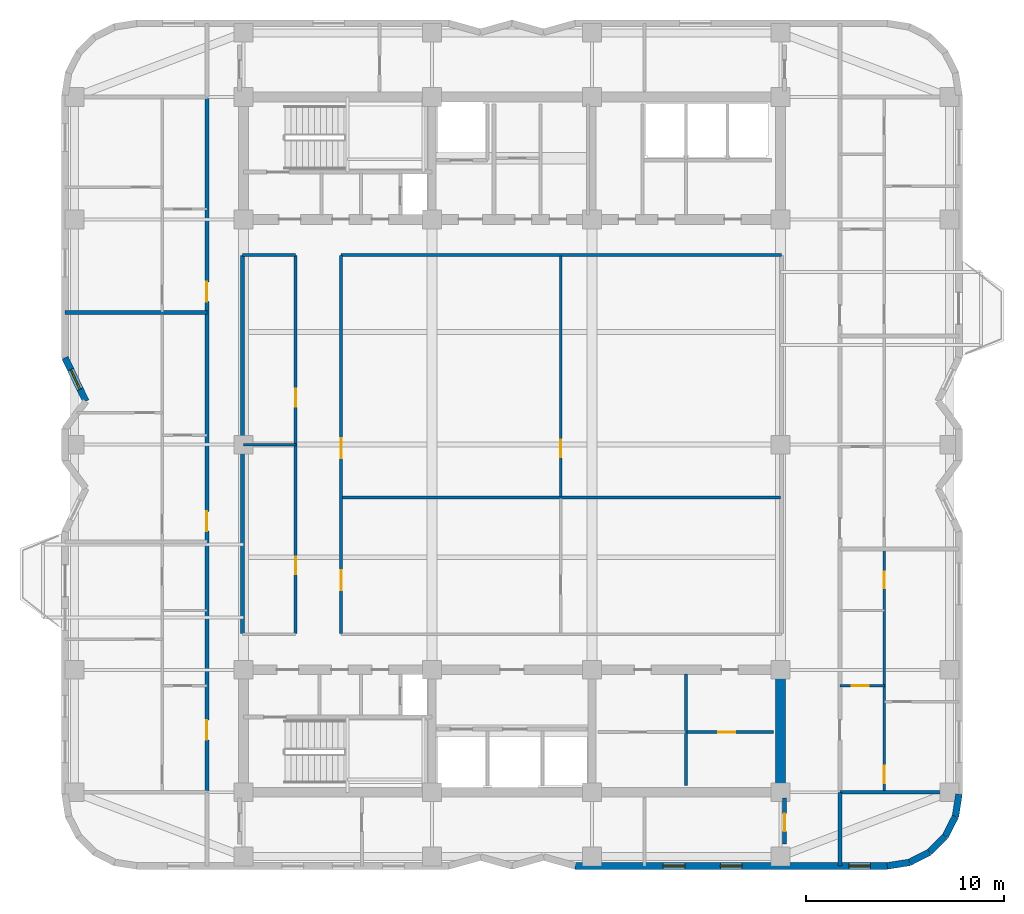
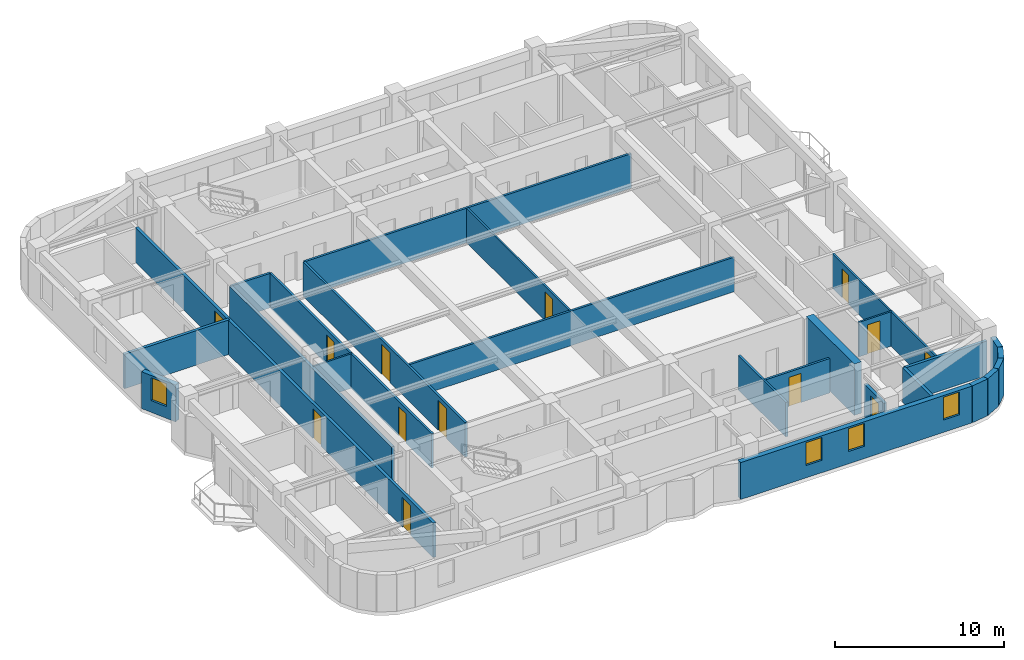
# One storey, part 4 of 9: 25 walls, 13 doors, 4 windows, 17 openings.
"""IFC4 building model written with IfcOpenShell, lengths in metres."""

from ifc_helpers import new_model, si_unit, direction, frame, frame_2d, origin, place, context, subcontext, project, spatial, rectangle, extrude, material, layer, layer_set, type_object, element, fill, save


model = new_model("IFC4")

# Units and contexts
model_context = context("Model", 3, precision=1e-05, world=origin(), true_north=direction((0.0, 1.0)))
body_context = subcontext(model_context, "Body", "Model", "MODEL_VIEW")
ifc_project = project(units=[si_unit("LENGTHUNIT", "METRE"), si_unit("AREAUNIT", "SQUARE_METRE"), si_unit("VOLUMEUNIT", "CUBIC_METRE"), si_unit("PLANEANGLEUNIT", "RADIAN"), si_unit("MASSUNIT", "GRAM", prefix="KILO")], contexts=[model_context])

# Site, building, storey
site_placement = place(None, origin())
site = spatial("IfcSite", under=ifc_project, at=site_placement, CompositionType="ELEMENT")
building_placement = place(site_placement, origin())
building = spatial("IfcBuilding", under=site, at=building_placement, Name="Svetorya Sky Lyceum", CompositionType="ELEMENT")
storey_placement = place(building_placement, frame((0.0, 0.0, 192.199951171875)))
storey = spatial("IfcBuildingStorey", under=building, at=storey_placement, Name="L48", CompositionType="ELEMENT", Elevation=192.199951171875)

# Wall
ifc_material_1 = material(Name="Concrete C50/60", Category="concrete")
ifc_layer_1 = layer(ifc_material_1, 0.5)
ifc_layer_set_1 = layer_set([ifc_layer_1], Name="Concrete C50/60")
wall_type_1 = type_object("IfcWallType", Name="WL-CORE-500", PredefinedType="SHEAR", material=ifc_layer_set_1)
wall_1_placement = place(storey_placement, frame((52.800048828125, 10.85009765625, 0.0), z_axis=(0.0, 0.0, 1.0), x_axis=(0.0, 1.0, 0.0)))
element("IfcWall", 1, at=wall_1_placement, inside=storey, type_object=wall_type_1, Name="L48 SC East Core Shear Wall", PredefinedType="SHEAR", context=body_context, shape_type="SweptSolid", body=[
    extrude(rectangle(XDim=5.699951171875, YDim=0.5, at=frame_2d((2.85009765625, 0.0))), origin(), (0.0, 0.0, 1.0), 3.699951171875),
])

# Wall, openings, windows
ifc_material_2 = material(Name="Putilovo limestone rainscreen on autoclaved cellular masonry", Category="masonry")
ifc_layer_2 = layer(ifc_material_2, 0.340087890625)
ifc_layer_set_2 = layer_set([ifc_layer_2], Name="Putilovo limestone rainscreen on autoclaved cellular masonry")
wall_type_2 = type_object("IfcWallType", Name="WL-EXT-340", PredefinedType="SOLIDWALL", material=ifc_layer_set_2)
wall_2_placement = place(storey_placement, frame((42.39990234375, 6.8701171875, 0.0), z_axis=(0.0, 0.0, 1.0), x_axis=(1.0, 0.0, 0.0)))
wall_2 = element("IfcWall", 2, at=wall_2_placement, inside=storey, type_object=wall_type_2, Name="L48 Limestone Exterior Wall 11M", PredefinedType="SOLIDWALL", context=body_context, shape_type="SweptSolid", body=[
    extrude(rectangle(XDim=15.800048828125, YDim=0.340087890625, at=frame_2d((7.89990234375, 0.0))), origin(), (0.0, 0.0, 1.0), 2.66015625),
])
opening_1_placement = place(wall_2_placement, frame((4.449951171875, 0.0, 0.889892578125)))
opening_1 = element("IfcOpeningElement", 3, at=opening_1_placement, cuts=wall_2, Name="Opening W-R3", PredefinedType="OPENING", context=body_context, shape_type="SweptSolid", body=[
    extrude(rectangle(XDim=1.10009765625, YDim=1.64990234375, at=frame_2d((0.550048828125, 0.824951171875))), frame((0.0, 0.179931640625, 0.0), z_axis=(0.0, -1.0, 0.0), x_axis=(1.0, 0.0, 0.0)), (0.0, 0.0, 1.0), 0.360107421875),
])
opening_2_placement = place(wall_2_placement, frame((7.35009765625, 0.0, 0.889892578125)))
opening_2 = element("IfcOpeningElement", 4, at=opening_2_placement, cuts=wall_2, Name="Opening W-R3", PredefinedType="OPENING", context=body_context, shape_type="SweptSolid", body=[
    extrude(rectangle(XDim=1.10009765625, YDim=1.64990234375, at=frame_2d((0.550048828125, 0.824951171875))), frame((0.0, 0.179931640625, 0.0), z_axis=(0.0, -1.0, 0.0), x_axis=(1.0, 0.0, 0.0)), (0.0, 0.0, 1.0), 0.360107421875),
])
opening_3_placement = place(wall_2_placement, frame((13.85009765625, 0.0, 0.889892578125)))
opening_3 = element("IfcOpeningElement", 5, at=opening_3_placement, cuts=wall_2, Name="Opening W-R3", PredefinedType="OPENING", context=body_context, shape_type="SweptSolid", body=[
    extrude(rectangle(XDim=1.10009765625, YDim=1.64990234375, at=frame_2d((0.550048828125, 0.824951171875))), frame((0.0, 0.179931640625, 0.0), z_axis=(0.0, -1.0, 0.0), x_axis=(1.0, 0.0, 0.0)), (0.0, 0.0, 1.0), 0.360107421875),
])
ifc_material_3 = material(Name="Thermally broken aluminium frame with triple low-E glazing", Category="aluminium")
window_type = type_object("IfcWindowType", Name="WN-RES-110", PartitioningType="SINGLE_PANEL", PredefinedType="WINDOW", material=ifc_material_3)
window_1_placement = place(opening_1_placement, origin())
window_1 = element("IfcWindow", 6, at=window_1_placement, inside=storey, type_object=window_type, Name="L48 Facade Window W-R3.11M.1", OverallHeight=1.64990234375, OverallWidth=1.10009765625, PartitioningType="SINGLE_PANEL", PredefinedType="WINDOW", context=body_context, shape_type="SweptSolid", body=[
    extrude(rectangle(XDim=1.10009765625, YDim=1.64990234375, at=frame_2d((0.550048828125, 0.824951171875))), frame((0.0, 0.030029296875, 0.0), z_axis=(0.0, -1.0, 0.0), x_axis=(1.0, 0.0, 0.0)), (0.0, 0.0, 1.0), 0.06005859375),
])
fill(opening_1, window_1)
window_2_placement = place(opening_2_placement, origin())
window_2 = element("IfcWindow", 7, at=window_2_placement, inside=storey, type_object=window_type, Name="L48 Facade Window W-R3.11M.2", OverallHeight=1.64990234375, OverallWidth=1.10009765625, PartitioningType="SINGLE_PANEL", PredefinedType="WINDOW", context=body_context, shape_type="SweptSolid", body=[
    extrude(rectangle(XDim=1.10009765625, YDim=1.64990234375, at=frame_2d((0.550048828125, 0.824951171875))), frame((0.0, 0.030029296875, 0.0), z_axis=(0.0, -1.0, 0.0), x_axis=(1.0, 0.0, 0.0)), (0.0, 0.0, 1.0), 0.06005859375),
])
fill(opening_2, window_2)
window_3_placement = place(opening_3_placement, origin())
window_3 = element("IfcWindow", 8, at=window_3_placement, inside=storey, type_object=window_type, Name="L48 Facade Window W-R3.11M.3", OverallHeight=1.64990234375, OverallWidth=1.10009765625, PartitioningType="SINGLE_PANEL", PredefinedType="WINDOW", context=body_context, shape_type="SweptSolid", body=[
    extrude(rectangle(XDim=1.10009765625, YDim=1.64990234375, at=frame_2d((0.550048828125, 0.824951171875))), frame((0.0, 0.030029296875, 0.0), z_axis=(0.0, -1.0, 0.0), x_axis=(1.0, 0.0, 0.0)), (0.0, 0.0, 1.0), 0.06005859375),
])
fill(opening_3, window_3)

# Walls
for number, where, z_axis, x_axis, name in (
    (9, (58.199951171875, 6.8701171875, 0.0), (0.0, 0.0, 1.0), (0.987714116584, 0.156271634985, 0.0), "L48 Limestone Exterior Wall 12M"),
    (10, (59.32177734375, 7.047607421875, 0.0), (0.0, 0.0, 1.0), (0.891005044957, 0.453993402883, 0.0), "L48 Limestone Exterior Wall 13M"),
):
    element("IfcWall", number, at=place(storey_placement, frame(where, z_axis=z_axis, x_axis=x_axis)), inside=storey, type_object=wall_type_2, Name=name, PredefinedType="SOLIDWALL", context=body_context, shape_type="SweptSolid", body=[
        extrude(rectangle(XDim=1.1357421875, YDim=0.340087890625, at=frame_2d((0.56787109375, 0.0))), origin(), (0.0, 0.0, 1.0), 2.66015625),
    ])
wall_3_placement = place(storey_placement, frame((60.333740234375, 7.563232421875, 0.0), z_axis=(0.0, 0.0, 1.0), x_axis=(0.707106781187, 0.707106781187, 0.0)))
element("IfcWall", 11, at=wall_3_placement, inside=storey, type_object=wall_type_2, Name="L48 Limestone Exterior Wall 14M", PredefinedType="SOLIDWALL", context=body_context, shape_type="SweptSolid", body=[
    extrude(rectangle(XDim=1.135498046875, YDim=0.340087890625, at=frame_2d((0.56787109375, 0.0))), origin(), (0.0, 0.0, 1.0), 2.66015625),
])
wall_4_placement = place(storey_placement, frame((61.13671875, 8.3662109375, 0.0), z_axis=(0.0, 0.0, 1.0), x_axis=(0.45390646422, 0.891049337433, 0.0)))
element("IfcWall", 12, at=wall_4_placement, inside=storey, type_object=wall_type_2, Name="L48 Limestone Exterior Wall 15M", PredefinedType="SOLIDWALL", context=body_context, shape_type="SweptSolid", body=[
    extrude(rectangle(XDim=1.135986328125, YDim=0.340087890625, at=frame_2d((0.56787109375, 0.0))), origin(), (0.0, 0.0, 1.0), 2.66015625),
])
wall_5_placement = place(storey_placement, frame((61.65234375, 9.37841796875, 0.0), z_axis=(0.0, 0.0, 1.0), x_axis=(0.156514556949, 0.987675651954, 0.0)))
element("IfcWall", 13, at=wall_5_placement, inside=storey, type_object=wall_type_2, Name="L48 Limestone Exterior Wall 16M", PredefinedType="SOLIDWALL", context=body_context, shape_type="SweptSolid", body=[
    extrude(rectangle(XDim=1.135498046875, YDim=0.340087890625, at=frame_2d((0.56787109375, 0.0))), origin(), (0.0, 0.0, 1.0), 2.66015625),
])

# Wall, opening, window
wall_6_placement = place(storey_placement, frame((16.570068359375, 32.60009765625, 0.0), z_axis=(0.0, 0.0, 1.0), x_axis=(0.430714756408, -0.902488115496, 0.0)))
wall_6 = element("IfcWall", 14, at=wall_6_placement, inside=storey, type_object=wall_type_2, Name="L48 Limestone Exterior Wall 41M", PredefinedType="SOLIDWALL", context=body_context, shape_type="SweptSolid", body=[
    extrude(rectangle(XDim=2.43798828125, YDim=0.340087890625, at=frame_2d((1.218994140625, 0.0))), origin(), (0.0, 0.0, 1.0), 2.66015625),
])
opening_4_placement = place(wall_6_placement, frame((0.6689453125, 0.0, 0.85009765625)))
opening_4 = element("IfcOpeningElement", 15, at=opening_4_placement, cuts=wall_6, Name="Opening W-R3", PredefinedType="OPENING", context=body_context, shape_type="SweptSolid", body=[
    extrude(rectangle(XDim=1.10009765625, YDim=1.64990234375, at=frame_2d((0.550048828125, 0.824951171875))), frame((0.0, 0.179931640625, 0.0), z_axis=(0.0, -1.0, 0.0), x_axis=(1.0, 0.0, 0.0)), (0.0, 0.0, 1.0), 0.360107421875),
])
window_4_placement = place(opening_4_placement, origin())
window_4 = element("IfcWindow", 16, at=window_4_placement, inside=storey, type_object=window_type, Name="L48 Facade Window W-R3.41M.1", OverallHeight=1.64990234375, OverallWidth=1.10009765625, PartitioningType="SINGLE_PANEL", PredefinedType="WINDOW", context=body_context, shape_type="SweptSolid", body=[
    extrude(rectangle(XDim=1.10009765625, YDim=1.64990234375, at=frame_2d((0.550048828125, 0.824951171875))), frame((0.0, 0.030029296875, 0.0), z_axis=(0.0, -1.0, 0.0), x_axis=(1.0, 0.0, 0.0)), (0.0, 0.0, 1.0), 0.06005859375),
])
fill(opening_4, window_4)

# Wall
ifc_material_4 = material(Name="Twin-stud galvanized framing with double fireboard", Category="gypsum")
ifc_layer_3 = layer(ifc_material_4, 0.1201171875)
ifc_layer_set_3 = layer_set([ifc_layer_3], Name="Twin-stud galvanized framing with double fireboard")
wall_type_3 = type_object("IfcWallType", Name="WL-PART-120", PredefinedType="PARTITIONING", material=ifc_layer_set_3)
wall_7_placement = place(storey_placement, frame((25.60009765625, 28.199951171875, 0.0), z_axis=(0.0, 0.0, 1.0), x_axis=(1.0, 0.0, 0.0)))
element("IfcWall", 17, at=wall_7_placement, inside=storey, type_object=wall_type_3, Name="L48 Interior Partition OFF-HW", PredefinedType="PARTITIONING", context=body_context, shape_type="SweptSolid", body=[
    extrude(rectangle(XDim=2.659912109375, YDim=0.1201171875, at=frame_2d((1.330078125, 0.0))), origin(), (0.0, 0.0, 1.0), 2.489990234375),
])

# Wall, opening, door
wall_8_placement = place(storey_placement, frame((41.659912109375, 25.560302734375, 0.0), z_axis=(0.0, 0.0, 1.0), x_axis=(0.0, 1.0, 0.0)))
wall_8 = element("IfcWall", 18, at=wall_8_placement, inside=storey, type_object=wall_type_3, Name="L48 Interior Partition OFF-VEM2", PredefinedType="PARTITIONING", context=body_context, shape_type="SweptSolid", body=[
    extrude(rectangle(XDim=12.1796875, YDim=0.1201171875, at=frame_2d((6.08984375, 0.0))), origin(), (0.0, 0.0, 1.0), 2.489990234375),
])
opening_5_placement = place(wall_8_placement, frame((2.0, 0.0, 0.0)))
opening_5 = element("IfcOpeningElement", 19, at=opening_5_placement, cuts=wall_8, Name="Opening D-RM1", PredefinedType="OPENING", context=body_context, shape_type="SweptSolid", body=[
    extrude(rectangle(XDim=0.89990234375, YDim=2.10009765625, at=frame_2d((0.449951171875, 1.050048828125))), frame((0.0, 0.070068359375, 0.0), z_axis=(0.0, -1.0, 0.0), x_axis=(1.0, 0.0, 0.0)), (0.0, 0.0, 1.0), 0.14013671875),
])
ifc_material_5 = material(Name="Lacquered birch veneer internal door")
door_type_1 = type_object("IfcDoorType", Name="DR-INT-900", OperationType="SINGLE_SWING_LEFT", PredefinedType="DOOR", material=ifc_material_5)
door_1_placement = place(opening_5_placement, origin())
door_1 = element("IfcDoor", 20, at=door_1_placement, inside=storey, type_object=door_type_1, Name="L48 East Focus Door", OperationType="SINGLE_SWING_RIGHT", OverallHeight=2.10009765625, OverallWidth=0.89990234375, PredefinedType="DOOR", context=body_context, shape_type="SweptSolid", body=[
    extrude(rectangle(XDim=0.89990234375, YDim=2.10009765625, at=frame_2d((0.449951171875, 1.050048828125))), frame((0.0, 0.02490234375, 0.0), z_axis=(0.0, -1.0, 0.0), x_axis=(1.0, 0.0, 0.0)), (0.0, 0.0, 1.0), 0.050048828125),
])
fill(opening_5, door_1)

wall_9_placement = place(storey_placement, frame((55.800048828125, 16.0, 0.0), z_axis=(0.0, 0.0, 1.0), x_axis=(1.0, 0.0, 0.0)))
wall_9 = element("IfcWall", 21, at=wall_9_placement, inside=storey, type_object=wall_type_3, Name="L48 Interior Partition E1-WH1", PredefinedType="PARTITIONING", context=body_context, shape_type="SweptSolid", body=[
    extrude(rectangle(XDim=2.25, YDim=0.1201171875, at=frame_2d((1.125, 0.0))), origin(), (0.0, 0.0, 1.0), 2.489990234375),
])
opening_6_placement = place(wall_9_placement, frame((0.60009765625, 0.0, 0.0)))
opening_6 = element("IfcOpeningElement", 22, at=opening_6_placement, cuts=wall_9, Name="Opening D-BT1", PredefinedType="OPENING", context=body_context, shape_type="SweptSolid", body=[
    extrude(rectangle(XDim=0.85009765625, YDim=2.10009765625, at=frame_2d((0.425048828125, 1.050048828125))), frame((0.0, 0.070068359375, 0.0), z_axis=(0.0, -1.0, 0.0), x_axis=(1.0, 0.0, 0.0)), (0.0, 0.0, 1.0), 0.14013671875),
])
ifc_material_6 = material(Name="Moisture-resistant laminate bathroom door")
door_type_2 = type_object("IfcDoorType", Name="DR-WET-850", OperationType="SINGLE_SWING_LEFT", PredefinedType="DOOR", material=ifc_material_6)
door_2_placement = place(opening_6_placement, origin())
door_2 = element("IfcDoor", 23, at=door_2_placement, inside=storey, type_object=door_type_2, Name="Apartment E1 Bathroom Door", OperationType="SINGLE_SWING_RIGHT", OverallHeight=2.10009765625, OverallWidth=0.85009765625, PredefinedType="DOOR", context=body_context, shape_type="SweptSolid", body=[
    extrude(rectangle(XDim=0.85009765625, YDim=2.10009765625, at=frame_2d((0.425048828125, 1.050048828125))), frame((0.0, 0.02490234375, 0.0), z_axis=(0.0, -1.0, 0.0), x_axis=(1.0, 0.0, 0.0)), (0.0, 0.0, 1.0), 0.050048828125),
])
fill(opening_6, door_2)

# Wall, openings, doors
wall_10_placement = place(storey_placement, frame((58.050048828125, 10.639892578125, 0.0), z_axis=(0.0, 0.0, 1.0), x_axis=(0.0, 1.0, 0.0)))
wall_10 = element("IfcWall", 24, at=wall_10_placement, inside=storey, type_object=wall_type_3, Name="L48 Interior Partition E1-WV", PredefinedType="PARTITIONING", context=body_context, shape_type="SweptSolid", body=[
    extrude(rectangle(XDim=12.239990234375, YDim=0.1201171875, at=frame_2d((6.1201171875, 0.0))), origin(), (0.0, 0.0, 1.0), 2.489990234375),
])
opening_7_placement = place(wall_10_placement, frame((0.409912109375, 0.0, 0.0)))
opening_7 = element("IfcOpeningElement", 25, at=opening_7_placement, cuts=wall_10, Name="Opening D-RM1", PredefinedType="OPENING", context=body_context, shape_type="SweptSolid", body=[
    extrude(rectangle(XDim=0.89990234375, YDim=2.10009765625, at=frame_2d((0.449951171875, 1.050048828125))), frame((0.0, 0.070068359375, 0.0), z_axis=(0.0, -1.0, 0.0), x_axis=(1.0, 0.0, 0.0)), (0.0, 0.0, 1.0), 0.14013671875),
])
opening_8_placement = place(wall_10_placement, frame((10.294921875, 0.0, 0.0)))
opening_8 = element("IfcOpeningElement", 26, at=opening_8_placement, cuts=wall_10, Name="Opening D-BT2", PredefinedType="OPENING", context=body_context, shape_type="SweptSolid", body=[
    extrude(rectangle(XDim=0.820068359375, YDim=2.080078125, at=frame_2d((0.41015625, 1.0400390625))), frame((0.0, 0.070068359375, 0.0), z_axis=(0.0, -1.0, 0.0), x_axis=(1.0, 0.0, 0.0)), (0.0, 0.0, 1.0), 0.14013671875),
])
door_3_placement = place(opening_7_placement, origin())
door_3 = element("IfcDoor", 27, at=door_3_placement, inside=storey, type_object=door_type_1, Name="Apartment E1 Living Door", OperationType="SINGLE_SWING_LEFT", OverallHeight=2.10009765625, OverallWidth=0.89990234375, PredefinedType="DOOR", context=body_context, shape_type="SweptSolid", body=[
    extrude(rectangle(XDim=0.89990234375, YDim=2.10009765625, at=frame_2d((0.449951171875, 1.050048828125))), frame((0.0, 0.02490234375, 0.0), z_axis=(0.0, -1.0, 0.0), x_axis=(1.0, 0.0, 0.0)), (0.0, 0.0, 1.0), 0.050048828125),
])
fill(opening_7, door_3)
ifc_material_7 = material(Name="Compact moisture-resistant laminate closet door")
door_type_3 = type_object("IfcDoorType", Name="DR-WET-820", OperationType="SINGLE_SWING_LEFT", PredefinedType="DOOR", material=ifc_material_7)
door_4_placement = place(opening_8_placement, origin())
door_4 = element("IfcDoor", 28, at=door_4_placement, inside=storey, type_object=door_type_3, Name="Apartment E1 Study Door", OperationType="SINGLE_SWING_RIGHT", OverallHeight=2.080078125, OverallWidth=0.820068359375, PredefinedType="DOOR", context=body_context, shape_type="SweptSolid", body=[
    extrude(rectangle(XDim=0.820068359375, YDim=2.080078125, at=frame_2d((0.41015625, 1.0400390625))), frame((0.0, 0.02490234375, 0.0), z_axis=(0.0, -1.0, 0.0), x_axis=(1.0, 0.0, 0.0)), (0.0, 0.0, 1.0), 0.050048828125),
])
fill(opening_8, door_4)

# Wall
ifc_material_8 = material(Name="Autoclaved cellular masonry blockwork with acoustic render", Category="masonry")
ifc_layer_4 = layer(ifc_material_8, 0.14990234375)
ifc_layer_set_4 = layer_set([ifc_layer_4], Name="Autoclaved cellular masonry blockwork with acoustic render")
wall_type_4 = type_object("IfcWallType", Name="WL-PART-150", PredefinedType="PARTITIONING", material=ifc_layer_set_4)
wall_11_placement = place(storey_placement, frame((48.0, 10.949951171875, 0.0), z_axis=(0.0, 0.0, 1.0), x_axis=(0.0, 1.0, 0.0)))
element("IfcWall", 29, at=wall_11_placement, inside=storey, type_object=wall_type_4, Name="L48 Interior Partition SC-LV7-V", PredefinedType="PARTITIONING", context=body_context, shape_type="SweptSolid", body=[
    extrude(rectangle(XDim=5.630126953125, YDim=0.14990234375, at=frame_2d((2.81494140625, 0.0))), origin(), (0.0, 0.0, 1.0), 2.489990234375),
])

# Wall, opening, door
wall_12_placement = place(storey_placement, frame((48.050048828125, 13.64990234375, 0.0), z_axis=(0.0, 0.0, 1.0), x_axis=(1.0, 0.0, 0.0)))
wall_12 = element("IfcWall", 30, at=wall_12_placement, inside=storey, type_object=wall_type_4, Name="L48 Interior Partition SC-LV7-HE", PredefinedType="PARTITIONING", context=body_context, shape_type="SweptSolid", body=[
    extrude(rectangle(XDim=4.39990234375, YDim=0.14990234375, at=frame_2d((2.199951171875, 0.0))), origin(), (0.0, 0.0, 1.0), 2.489990234375),
])
opening_9_placement = place(wall_12_placement, frame((1.60009765625, 0.0, 0.0)))
opening_9 = element("IfcOpeningElement", 31, at=opening_9_placement, cuts=wall_12, Name="Opening D-CWC1", PredefinedType="OPENING", context=body_context, shape_type="SweptSolid", body=[
    extrude(rectangle(XDim=0.85009765625, YDim=2.10009765625, at=frame_2d((0.425048828125, 1.050048828125))), frame((0.0, 0.0849609375, 0.0), z_axis=(0.0, -1.0, 0.0), x_axis=(1.0, 0.0, 0.0)), (0.0, 0.0, 1.0), 0.169921875),
])
ifc_material_9 = material(Name="Fire-rated galvanized steel core service closet door", Category="steel")
door_type_4 = type_object("IfcDoorType", Name="DR-CWET-850", OperationType="SINGLE_SWING_LEFT", PredefinedType="DOOR", material=ifc_material_9)
door_5_placement = place(opening_9_placement, origin())
door_5 = element("IfcDoor", 32, at=door_5_placement, inside=storey, type_object=door_type_4, Name="L48 South Server Closet Door", OperationType="SINGLE_SWING_RIGHT", OverallHeight=2.10009765625, OverallWidth=0.85009765625, PredefinedType="DOOR", context=body_context, shape_type="SweptSolid", body=[
    extrude(rectangle(XDim=0.85009765625, YDim=2.10009765625, at=frame_2d((0.425048828125, 1.050048828125))), frame((0.0, 0.02490234375, 0.0), z_axis=(0.0, -1.0, 0.0), x_axis=(1.0, 0.0, 0.0)), (0.0, 0.0, 1.0), 0.050048828125),
])
fill(opening_9, door_5)

# Walls
wall_13_placement = place(storey_placement, frame((25.550048828125, 37.800048828125, 0.0), z_axis=(0.0, 0.0, 1.0), x_axis=(1.0, 0.0, 0.0)))
element("IfcWall", 33, at=wall_13_placement, inside=storey, type_object=wall_type_4, Name="L48 Interior Partition OFF-CN-W", PredefinedType="PARTITIONING", context=body_context, shape_type="SweptSolid", body=[
    extrude(rectangle(XDim=2.699951171875, YDim=0.14990234375, at=frame_2d((1.35009765625, 0.0))), origin(), (0.0, 0.0, 1.0), 2.489990234375),
])
wall_14_placement = place(storey_placement, frame((30.550048828125, 37.800048828125, 0.0), z_axis=(0.0, 0.0, 1.0), x_axis=(1.0, 0.0, 0.0)))
element("IfcWall", 34, at=wall_14_placement, inside=storey, type_object=wall_type_4, Name="L48 Interior Partition OFF-CN-E", PredefinedType="PARTITIONING", context=body_context, shape_type="SweptSolid", body=[
    extrude(rectangle(XDim=22.300048828125, YDim=0.14990234375, at=frame_2d((11.14990234375, 0.0))), origin(), (0.0, 0.0, 1.0), 2.489990234375),
])
wall_15_placement = place(storey_placement, frame((30.580078125, 25.5205078125, 0.0), z_axis=(0.0, 0.0, 1.0), x_axis=(1.0, 0.0, 0.0)))
element("IfcWall", 35, at=wall_15_placement, inside=storey, type_object=wall_type_4, Name="L48 Interior Partition OFF-HE", PredefinedType="PARTITIONING", context=body_context, shape_type="SweptSolid", body=[
    extrude(rectangle(XDim=22.219970703125, YDim=0.14990234375, at=frame_2d((11.10986328125, 0.0))), origin(), (0.0, 0.0, 1.0), 2.489990234375),
])

# Wall, openings, doors
wall_16_placement = place(storey_placement, frame((28.25, 18.6298828125, 0.0), z_axis=(0.0, 0.0, 1.0), x_axis=(0.0, 1.0, 0.0)))
wall_16 = element("IfcWall", 36, at=wall_16_placement, inside=storey, type_object=wall_type_4, Name="L48 Interior Partition OFF-VW", PredefinedType="PARTITIONING", context=body_context, shape_type="SweptSolid", body=[
    extrude(rectangle(XDim=19.14013671875, YDim=0.14990234375, at=frame_2d((9.570068359375, 0.0))), origin(), (0.0, 0.0, 1.0), 2.489990234375),
])
opening_10_placement = place(wall_16_placement, frame((3.0, 0.0, 0.0)))
opening_10 = element("IfcOpeningElement", 37, at=opening_10_placement, cuts=wall_16, Name="Opening D-RM1", PredefinedType="OPENING", context=body_context, shape_type="SweptSolid", body=[
    extrude(rectangle(XDim=0.89990234375, YDim=2.10009765625, at=frame_2d((0.449951171875, 1.050048828125))), frame((0.0, 0.0849609375, 0.0), z_axis=(0.0, -1.0, 0.0), x_axis=(1.0, 0.0, 0.0)), (0.0, 0.0, 1.0), 0.169921875),
])
opening_11_placement = place(wall_16_placement, frame((11.5, 0.0, 0.0)))
opening_11 = element("IfcOpeningElement", 38, at=opening_11_placement, cuts=wall_16, Name="Opening D-RM1", PredefinedType="OPENING", context=body_context, shape_type="SweptSolid", body=[
    extrude(rectangle(XDim=0.89990234375, YDim=2.10009765625, at=frame_2d((0.449951171875, 1.050048828125))), frame((0.0, 0.0849609375, 0.0), z_axis=(0.0, -1.0, 0.0), x_axis=(1.0, 0.0, 0.0)), (0.0, 0.0, 1.0), 0.169921875),
])
door_6_placement = place(opening_10_placement, origin())
door_6 = element("IfcDoor", 39, at=door_6_placement, inside=storey, type_object=door_type_1, Name="L48 Study Door", OperationType="SINGLE_SWING_LEFT", OverallHeight=2.10009765625, OverallWidth=0.89990234375, PredefinedType="DOOR", context=body_context, shape_type="SweptSolid", body=[
    extrude(rectangle(XDim=0.89990234375, YDim=2.10009765625, at=frame_2d((0.449951171875, 1.050048828125))), frame((0.0, 0.02490234375, 0.0), z_axis=(0.0, -1.0, 0.0), x_axis=(1.0, 0.0, 0.0)), (0.0, 0.0, 1.0), 0.050048828125),
])
fill(opening_10, door_6)
door_7_placement = place(opening_11_placement, origin())
door_7 = element("IfcDoor", 40, at=door_7_placement, inside=storey, type_object=door_type_1, Name="L48 Focus Door", OperationType="SINGLE_SWING_RIGHT", OverallHeight=2.10009765625, OverallWidth=0.89990234375, PredefinedType="DOOR", context=body_context, shape_type="SweptSolid", body=[
    extrude(rectangle(XDim=0.89990234375, YDim=2.10009765625, at=frame_2d((0.449951171875, 1.050048828125))), frame((0.0, 0.02490234375, 0.0), z_axis=(0.0, -1.0, 0.0), x_axis=(1.0, 0.0, 0.0)), (0.0, 0.0, 1.0), 0.050048828125),
])
fill(opening_11, door_7)

wall_17_placement = place(storey_placement, frame((30.550048828125, 18.6298828125, 0.0), z_axis=(0.0, 0.0, 1.0), x_axis=(0.0, 1.0, 0.0)))
wall_17 = element("IfcWall", 41, at=wall_17_placement, inside=storey, type_object=wall_type_4, Name="L48 Interior Partition OFF-VE", PredefinedType="PARTITIONING", context=body_context, shape_type="SweptSolid", body=[
    extrude(rectangle(XDim=19.14013671875, YDim=0.14990234375, at=frame_2d((9.570068359375, 0.0))), origin(), (0.0, 0.0, 1.0), 2.489990234375),
])
opening_12_placement = place(wall_17_placement, frame((2.199951171875, 0.0, 0.0)))
opening_12 = element("IfcOpeningElement", 42, at=opening_12_placement, cuts=wall_17, Name="Opening D-RM2", PredefinedType="OPENING", context=body_context, shape_type="SweptSolid", body=[
    extrude(rectangle(XDim=1.0, YDim=2.14990234375, at=frame_2d((0.5, 1.074951171875))), frame((0.0, 0.0849609375, 0.0), z_axis=(0.0, -1.0, 0.0), x_axis=(1.0, 0.0, 0.0)), (0.0, 0.0, 1.0), 0.169921875),
])
opening_13_placement = place(wall_17_placement, frame((8.890380859375, 0.0, 0.0)))
opening_13 = element("IfcOpeningElement", 43, at=opening_13_placement, cuts=wall_17, Name="Opening D-RM2", PredefinedType="OPENING", context=body_context, shape_type="SweptSolid", body=[
    extrude(rectangle(XDim=1.0, YDim=2.14990234375, at=frame_2d((0.5, 1.074951171875))), frame((0.0, 0.0849609375, 0.0), z_axis=(0.0, -1.0, 0.0), x_axis=(1.0, 0.0, 0.0)), (0.0, 0.0, 1.0), 0.169921875),
])
ifc_material_10 = material(Name="Solid-core oak acoustic room door")
door_type_5 = type_object("IfcDoorType", Name="DR-INT-1000", OperationType="SINGLE_SWING_LEFT", PredefinedType="DOOR", material=ifc_material_10)
door_8_placement = place(opening_12_placement, origin())
door_8 = element("IfcDoor", 44, at=door_8_placement, inside=storey, type_object=door_type_5, Name="L48 Meeting Door", OperationType="SINGLE_SWING_RIGHT", OverallHeight=2.14990234375, OverallWidth=1.0, PredefinedType="DOOR", context=body_context, shape_type="SweptSolid", body=[
    extrude(rectangle(XDim=1.0, YDim=2.14990234375, at=frame_2d((0.5, 1.074951171875))), frame((0.0, 0.02490234375, 0.0), z_axis=(0.0, -1.0, 0.0), x_axis=(1.0, 0.0, 0.0)), (0.0, 0.0, 1.0), 0.050048828125),
])
fill(opening_12, door_8)
door_9_placement = place(opening_13_placement, origin())
door_9 = element("IfcDoor", 45, at=door_9_placement, inside=storey, type_object=door_type_5, Name="L48 North Room Door", OperationType="SINGLE_SWING_LEFT", OverallHeight=2.14990234375, OverallWidth=1.0, PredefinedType="DOOR", context=body_context, shape_type="SweptSolid", body=[
    extrude(rectangle(XDim=1.0, YDim=2.14990234375, at=frame_2d((0.5, 1.074951171875))), frame((0.0, 0.02490234375, 0.0), z_axis=(0.0, -1.0, 0.0), x_axis=(1.0, 0.0, 0.0)), (0.0, 0.0, 1.0), 0.050048828125),
])
fill(opening_13, door_9)

# Walls
ifc_material_11 = material(Name="Autoclaved cellular masonry blockwork with gypsum plaster", Category="masonry")
ifc_layer_5 = layer(ifc_material_11, 0.199951171875)
ifc_layer_set_5 = layer_set([ifc_layer_5], Name="Autoclaved cellular masonry blockwork with gypsum plaster")
wall_type_5 = type_object("IfcWallType", Name="WL-PART-200", PredefinedType="PARTITIONING", material=ifc_layer_set_5)
wall_18_placement = place(storey_placement, frame((25.550048828125, 18.6298828125, 0.0), z_axis=(0.0, 0.0, 1.0), x_axis=(0.0, 1.0, 0.0)))
element("IfcWall", 46, at=wall_18_placement, inside=storey, type_object=wall_type_5, Name="L48 Interior Partition W-CEN-SEP", PredefinedType="PARTITIONING", context=body_context, shape_type="SweptSolid", body=[
    extrude(rectangle(XDim=19.14013671875, YDim=0.199951171875, at=frame_2d((9.570068359375, 0.0))), origin(), (0.0, 0.0, 1.0), 2.489990234375),
])
wall_19_placement = place(storey_placement, frame((16.570068359375, 34.887939453125, 0.0), z_axis=(0.0, 0.0, 1.0), x_axis=(1.0, 0.0, 0.0)))
element("IfcWall", 47, at=wall_19_placement, inside=storey, type_object=wall_type_5, Name="L48 Interior Partition W-PARTY-2", PredefinedType="PARTITIONING", context=body_context, shape_type="SweptSolid", body=[
    extrude(rectangle(XDim=7.179931640625, YDim=0.199951171875, at=frame_2d((3.58984375, 0.0))), origin(), (0.0, 0.0, 1.0), 2.489990234375),
])

# Wall, openings, doors
wall_20_placement = place(storey_placement, frame((23.75, 10.60009765625, 0.0), z_axis=(0.0, 0.0, 1.0), x_axis=(0.0, 1.0, 0.0)))
wall_20 = element("IfcWall", 48, at=wall_20_placement, inside=storey, type_object=wall_type_5, Name="L48 Interior Partition W-CORRW", PredefinedType="PARTITIONING", context=body_context, shape_type="SweptSolid", body=[
    extrude(rectangle(XDim=35.199951171875, YDim=0.199951171875, at=frame_2d((17.60009765625, 0.0))), origin(), (0.0, 0.0, 1.0), 2.489990234375),
])
opening_14_placement = place(wall_20_placement, frame((2.64990234375, 0.0, 0.0)))
opening_14 = element("IfcOpeningElement", 49, at=opening_14_placement, cuts=wall_20, Name="Opening D-APT1", PredefinedType="OPENING", context=body_context, shape_type="SweptSolid", body=[
    extrude(rectangle(XDim=1.0, YDim=2.14990234375, at=frame_2d((0.5, 1.074951171875))), frame((0.0, 0.10986328125, 0.0), z_axis=(0.0, -1.0, 0.0), x_axis=(1.0, 0.0, 0.0)), (0.0, 0.0, 1.0), 0.219970703125),
])
opening_15_placement = place(wall_20_placement, frame((13.221923828125, 0.0, 0.0)))
opening_15 = element("IfcOpeningElement", 50, at=opening_15_placement, cuts=wall_20, Name="Opening D-APT1", PredefinedType="OPENING", context=body_context, shape_type="SweptSolid", body=[
    extrude(rectangle(XDim=1.0, YDim=2.14990234375, at=frame_2d((0.5, 1.074951171875))), frame((0.0, 0.10986328125, 0.0), z_axis=(0.0, -1.0, 0.0), x_axis=(1.0, 0.0, 0.0)), (0.0, 0.0, 1.0), 0.219970703125),
])
opening_16_placement = place(wall_20_placement, frame((24.837890625, 0.0, 0.0)))
opening_16 = element("IfcOpeningElement", 51, at=opening_16_placement, cuts=wall_20, Name="Opening D-APT1", PredefinedType="OPENING", context=body_context, shape_type="SweptSolid", body=[
    extrude(rectangle(XDim=1.0, YDim=2.14990234375, at=frame_2d((0.5, 1.074951171875))), frame((0.0, 0.10986328125, 0.0), z_axis=(0.0, -1.0, 0.0), x_axis=(1.0, 0.0, 0.0)), (0.0, 0.0, 1.0), 0.219970703125),
])
ifc_material_12 = material(Name="Insulated oak-veneered apartment entrance door")
door_type_6 = type_object("IfcDoorType", Name="DR-APT-1000", OperationType="SINGLE_SWING_LEFT", PredefinedType="DOOR", material=ifc_material_12)
door_10_placement = place(opening_14_placement, origin())
door_10 = element("IfcDoor", 52, at=door_10_placement, inside=storey, type_object=door_type_6, Name="L48 Apartment W1 Entrance Door", OperationType="SINGLE_SWING_LEFT", OverallHeight=2.14990234375, OverallWidth=1.0, PredefinedType="DOOR", context=body_context, shape_type="SweptSolid", body=[
    extrude(rectangle(XDim=1.0, YDim=2.14990234375, at=frame_2d((0.5, 1.074951171875))), frame((0.0, 0.02490234375, 0.0), z_axis=(0.0, -1.0, 0.0), x_axis=(1.0, 0.0, 0.0)), (0.0, 0.0, 1.0), 0.050048828125),
])
fill(opening_14, door_10)
door_11_placement = place(opening_15_placement, origin())
door_11 = element("IfcDoor", 53, at=door_11_placement, inside=storey, type_object=door_type_6, Name="L48 Apartment W2 Entrance Door", OperationType="SINGLE_SWING_RIGHT", OverallHeight=2.14990234375, OverallWidth=1.0, PredefinedType="DOOR", context=body_context, shape_type="SweptSolid", body=[
    extrude(rectangle(XDim=1.0, YDim=2.14990234375, at=frame_2d((0.5, 1.074951171875))), frame((0.0, 0.02490234375, 0.0), z_axis=(0.0, -1.0, 0.0), x_axis=(1.0, 0.0, 0.0)), (0.0, 0.0, 1.0), 0.050048828125),
])
fill(opening_15, door_11)
door_12_placement = place(opening_16_placement, origin())
door_12 = element("IfcDoor", 54, at=door_12_placement, inside=storey, type_object=door_type_6, Name="L48 Apartment W3 Entrance Door", OperationType="SINGLE_SWING_LEFT", OverallHeight=2.14990234375, OverallWidth=1.0, PredefinedType="DOOR", context=body_context, shape_type="SweptSolid", body=[
    extrude(rectangle(XDim=1.0, YDim=2.14990234375, at=frame_2d((0.5, 1.074951171875))), frame((0.0, 0.02490234375, 0.0), z_axis=(0.0, -1.0, 0.0), x_axis=(1.0, 0.0, 0.0)), (0.0, 0.0, 1.0), 0.050048828125),
])
fill(opening_16, door_12)

# Walls
wall_21_placement = place(storey_placement, frame((55.800048828125, 10.60009765625, 0.0), z_axis=(0.0, 0.0, 1.0), x_axis=(1.0, 0.0, 0.0)))
element("IfcWall", 55, at=wall_21_placement, inside=storey, type_object=wall_type_5, Name="L48 Interior Partition E-CAP-S", PredefinedType="PARTITIONING", context=body_context, shape_type="SweptSolid", body=[
    extrude(rectangle(XDim=5.60986328125, YDim=0.199951171875, at=frame_2d((2.804931640625, 0.0))), origin(), (0.0, 0.0, 1.0), 2.489990234375),
])
wall_22_placement = place(storey_placement, frame((55.800048828125, 6.8701171875, 0.0), z_axis=(0.0, 0.0, 1.0), x_axis=(0.0, 1.0, 0.0)))
element("IfcWall", 56, at=wall_22_placement, inside=storey, type_object=wall_type_5, Name="L48 Interior Partition EC-SE-END", PredefinedType="PARTITIONING", context=body_context, shape_type="SweptSolid", body=[
    extrude(rectangle(XDim=3.72998046875, YDim=0.199951171875, at=frame_2d((1.864990234375, 0.0))), origin(), (0.0, 0.0, 1.0), 2.489990234375),
])

# Wall, opening, door
wall_23_placement = place(storey_placement, frame((53.0, 7.969970703125, 0.0), z_axis=(0.0, 0.0, 1.0), x_axis=(0.0, 1.0, 0.0)))
wall_23 = element("IfcWall", 57, at=wall_23_placement, inside=storey, type_object=wall_type_5, Name="L48 Interior Partition S-EE", PredefinedType="PARTITIONING", context=body_context, shape_type="SweptSolid", body=[
    extrude(rectangle(XDim=2.330078125, YDim=0.199951171875, at=frame_2d((1.1650390625, 0.0))), origin(), (0.0, 0.0, 1.0), 2.489990234375),
])
opening_17_placement = place(wall_23_placement, frame((0.64990234375, 0.0, 0.0)))
opening_17 = element("IfcOpeningElement", 58, at=opening_17_placement, cuts=wall_23, Name="Opening D-RM1", PredefinedType="OPENING", context=body_context, shape_type="SweptSolid", body=[
    extrude(rectangle(XDim=0.89990234375, YDim=2.10009765625, at=frame_2d((0.449951171875, 1.050048828125))), frame((0.0, 0.10986328125, 0.0), z_axis=(0.0, -1.0, 0.0), x_axis=(1.0, 0.0, 0.0)), (0.0, 0.0, 1.0), 0.219970703125),
])
door_13_placement = place(opening_17_placement, origin())
door_13 = element("IfcDoor", 59, at=door_13_placement, inside=storey, type_object=door_type_1, Name="L48 South Focus Door", OperationType="SINGLE_SWING_RIGHT", OverallHeight=2.10009765625, OverallWidth=0.89990234375, PredefinedType="DOOR", context=body_context, shape_type="SweptSolid", body=[
    extrude(rectangle(XDim=0.89990234375, YDim=2.10009765625, at=frame_2d((0.449951171875, 1.050048828125))), frame((0.0, 0.02490234375, 0.0), z_axis=(0.0, -1.0, 0.0), x_axis=(1.0, 0.0, 0.0)), (0.0, 0.0, 1.0), 0.050048828125),
])
fill(opening_17, door_13)

save(model, "model.ifc")
